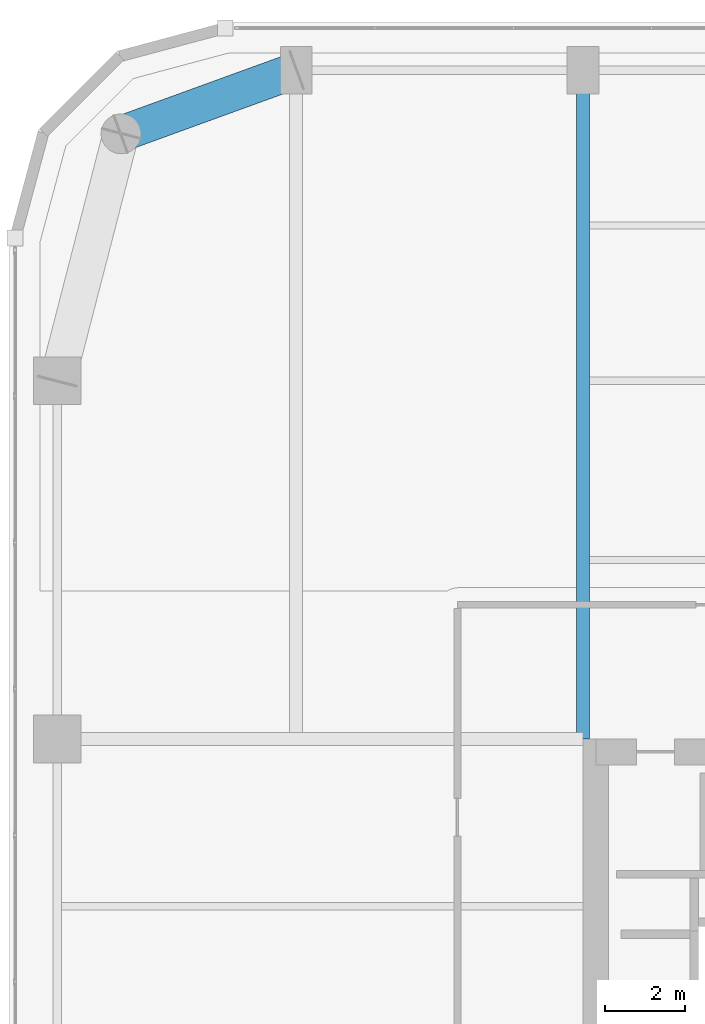
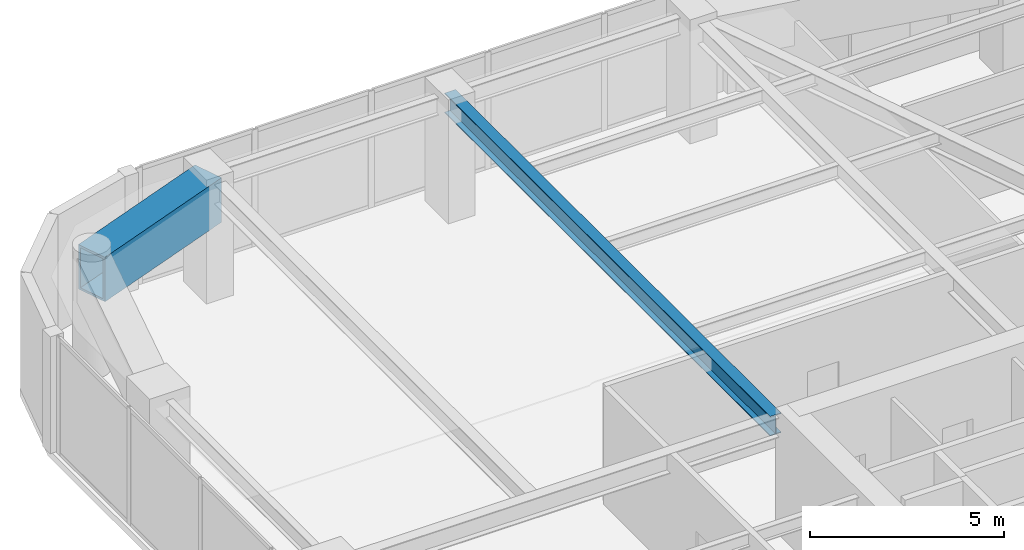
# One storey, part 16 of 30: 2 beams.
"""IFC4 building model written with IfcOpenShell, lengths in metres."""

from ifc_helpers import new_model, si_unit, direction, frame, origin, origin_2d, place, context, subcontext, project, spatial, hollow_rectangle, i_section, extrude, material, material_profile, profile_set, type_object, element, save


model = new_model("IFC4")

# Units and contexts
model_context = context("Model", 3, precision=1e-05, world=origin(), true_north=direction((0.0, 1.0)))
body_context = subcontext(model_context, "Body", "Model", "MODEL_VIEW")
ifc_project = project(units=[si_unit("LENGTHUNIT", "METRE"), si_unit("AREAUNIT", "SQUARE_METRE"), si_unit("VOLUMEUNIT", "CUBIC_METRE"), si_unit("PLANEANGLEUNIT", "RADIAN"), si_unit("MASSUNIT", "GRAM", prefix="KILO")], contexts=[model_context])

# Site, building, storey
site_placement = place(None, origin())
site = spatial("IfcSite", under=ifc_project, at=site_placement, CompositionType="ELEMENT")
building_placement = place(site_placement, origin())
building = spatial("IfcBuilding", under=site, at=building_placement, Name="Kiyonajd Concourse Tower", CompositionType="ELEMENT")
storey_placement = place(building_placement, frame((0.0, 0.0, 190.199951171875)))
storey = spatial("IfcBuildingStorey", under=building, at=storey_placement, Name="L48", CompositionType="ELEMENT", Elevation=190.199951171875)

# Beams
ifc_material_1 = material(Name="Steel ASTM A992 Grade 50", Category="steel")
ifc_material_profile_1 = material_profile(ifc_material_1, i_section(OverallWidth=0.326904296875, OverallDepth=0.6220703125, WebThickness=0.015380859375, FlangeThickness=0.0244140625, at=origin_2d()), Name="W610X195")
ifc_profile_set_1 = profile_set([ifc_material_profile_1], Name="Steel ASTM A992 Grade 50")
beam_type_1 = type_object("IfcBeamType", Name="BM-TWR-610A", PredefinedType="BEAM", material=ifc_profile_set_1)
beam_1_placement = place(storey_placement, frame((32.39990234375, 44.39990234375, 3.369140625), z_axis=(0.0, 1.0, 0.0), x_axis=(-1.0, 0.0, 0.0)))
element("IfcBeam", 1, at=beam_1_placement, inside=storey, type_object=beam_type_1, Name="L48 North Lease Girder", PredefinedType="BEAM", context=body_context, shape_type="SweptSolid", body=[
    extrude(i_section(OverallWidth=0.326904296875, OverallDepth=0.6220703125, WebThickness=0.015380859375, FlangeThickness=0.0244140625, at=origin_2d()), origin(), (0.0, 0.0, 1.0), 16.800048828125),
])
ifc_material_2 = material(Name="Steel ASTM A572 Grade 50", Category="steel")
ifc_material_profile_2 = material_profile(ifc_material_2, hollow_rectangle(XDim=0.89990234375, YDim=1.39990234375, WallThickness=0.070068359375, at=origin_2d()), Name="BOX-1400x900x70")
ifc_profile_set_2 = profile_set([ifc_material_profile_2], Name="Steel ASTM A572 Grade 50")
beam_type_2 = type_object("IfcBeamType", Name="BM-XFER-1400", PredefinedType="BEAM", material=ifc_profile_set_2)
beam_2_placement = place(storey_placement, frame((25.199951171875, 61.199951171875, 2.97998046875), z_axis=(-0.939801036019, -0.341722127901, 0.0), x_axis=(0.341722127901, -0.939801036019, 0.0)))
element("IfcBeam", 2, at=beam_2_placement, inside=storey, type_object=beam_type_2, Name="L48 Perimeter Bundled Tube Spandrel", PredefinedType="BEAM", context=body_context, shape_type="SweptSolid", body=[
    extrude(hollow_rectangle(XDim=0.89990234375, YDim=1.39990234375, WallThickness=0.070068359375, at=origin_2d()), origin(), (0.0, 0.0, 1.0), 4.681640625),
])

save(model, "model.ifc")
